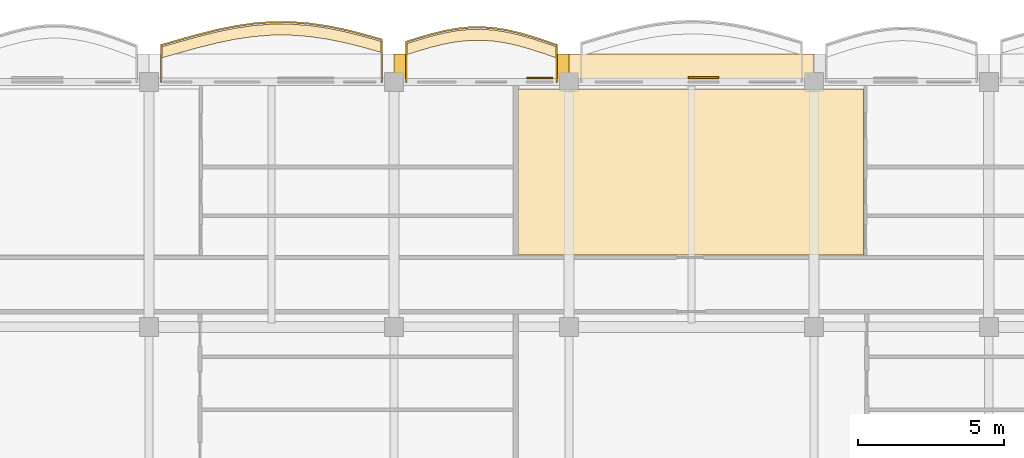
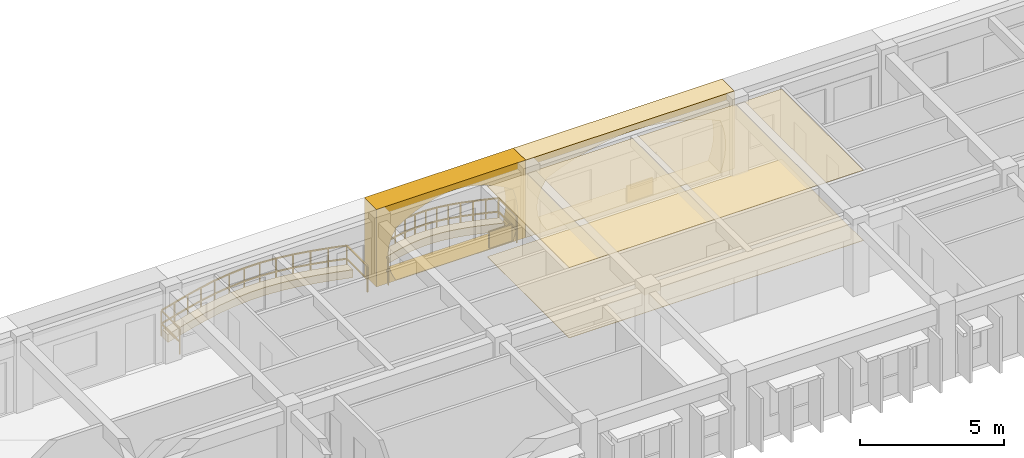
# One storey, part 88 of 101: 8 coverings, 2 railings.
"""IFC4 building model written with IfcOpenShell, lengths in metres."""

import ifcopenshell
import ifcopenshell.guid

model = None  # the IFC model being written
_history = None  # IfcOwnerHistory: only IFC2X3 demands one
_inside = {}  # id of a spatial element -> (the spatial element, [elements in it])
_under = {}  # id of a project, library or spatial element -> (it, [spatial elements below it])
_declared = {}  # id of a project -> (the project, [libraries it declares])
_typed = {}  # id of a type object -> (the type object, [elements of that type])
_made_of = {}  # id of a material, layer set ... -> (it, [elements and type objects made of it])


def new_model(schema):
    """Start an empty IFC model of exactly this schema.

    Asked for "IFC4X3", IfcOpenShell would pick the latest addendum, in which some entities
    have other attributes; the version numbers below select the first issue.
    IFC2X3 requires an IfcOwnerHistory on every rooted entity: one is made here for all.
    """
    global model, _history
    if schema == "IFC4X3":
        model = ifcopenshell.file(schema_version=(4, 3, 0, 0))
    else:
        model = ifcopenshell.file(schema=schema)
    _inside.clear()
    _under.clear()
    _declared.clear()
    _typed.clear()
    _made_of.clear()
    _history = None
    if model.schema == "IFC2X3":
        org = make("IfcOrganization", Name="unknown")
        user = make(
            "IfcPersonAndOrganization",
            ThePerson=make("IfcPerson", FamilyName="unknown"),
            TheOrganization=org,
        )
        app = make(
            "IfcApplication",
            ApplicationDeveloper=org,
            Version="unknown",
            ApplicationFullName="unknown",
            ApplicationIdentifier="unknown",
        )
        _history = make(
            "IfcOwnerHistory",
            OwningUser=user,
            OwningApplication=app,
            ChangeAction="ADDED",
            CreationDate=0,
        )
    return model


def make(cls, **values):
    """One entity of the class cls with the attributes given. An attribute that is None is left unset."""
    return model.create_entity(
        cls, **{name: value for name, value in values.items() if value is not None}
    )


def rooted(cls, **values):
    """An entity with a GlobalId (a new one), such as an element, a storey or a relation."""
    return make(cls, GlobalId=ifcopenshell.guid.new(), OwnerHistory=_history, **values)


def si_unit(unit_type, name, prefix=None):
    """IfcSIUnit, for example si_unit("LENGTHUNIT", "METRE", prefix="MILLI")."""
    return make("IfcSIUnit", UnitType=unit_type, Prefix=prefix, Name=name)


def assignment(units):
    """IfcUnitAssignment: the units of a project."""
    return None if units is None else make("IfcUnitAssignment", Units=units)


def point(xyz):
    """IfcCartesianPoint."""
    return None if xyz is None else make("IfcCartesianPoint", Coordinates=xyz)


def direction(xyz):
    """IfcDirection."""
    return None if xyz is None else make("IfcDirection", DirectionRatios=xyz)


def frame(location, z_axis=None, x_axis=None):
    """IfcAxis2Placement3D, a coordinate frame: its origin and axes. An axis left out is left unset."""
    return make(
        "IfcAxis2Placement3D",
        Location=point(location),
        Axis=direction(z_axis),
        RefDirection=direction(x_axis),
    )


def frame_2d(location, x_axis=None):
    """IfcAxis2Placement2D, a coordinate frame in the plane: its origin and x axis."""
    return make(
        "IfcAxis2Placement2D", Location=point(location), RefDirection=direction(x_axis)
    )


def origin():
    """The frame at (0, 0, 0) with its axes left unset."""
    return frame((0.0, 0.0, 0.0))


def origin_2d():
    """The frame at (0, 0) in the plane with its x axis left unset."""
    return frame_2d((0.0, 0.0))


def place(relative_to, where):
    """IfcLocalPlacement: puts the frame where relative to a parent placement (None: the world)."""
    return make(
        "IfcLocalPlacement", PlacementRelTo=relative_to, RelativePlacement=where
    )


def context(
    kind, dimensions, precision=None, world=None, true_north=None, identifier=None
):
    """IfcGeometricRepresentationContext, for example the 3D "Model" context."""
    return make(
        "IfcGeometricRepresentationContext",
        ContextIdentifier=identifier,
        ContextType=kind,
        CoordinateSpaceDimension=dimensions,
        Precision=precision,
        WorldCoordinateSystem=world,
        TrueNorth=true_north,
    )


def subcontext(parent, identifier, kind, view, scale=None):
    """IfcGeometricRepresentationSubContext, for example "Body" below "Model"."""
    return make(
        "IfcGeometricRepresentationSubContext",
        ContextIdentifier=identifier,
        ContextType=kind,
        ParentContext=parent,
        TargetScale=scale,
        TargetView=view,
    )


def project(units=None, contexts=None):
    """IfcProject with its units and contexts."""
    return rooted(
        "IfcProject",
        Name="project",
        RepresentationContexts=contexts,
        UnitsInContext=assignment(units),
    )


def spatial(cls, under=None, at=None, **own):
    """A site, building, storey or space (cls), placed at a placement, below another one or the project."""
    s = rooted(cls, ObjectPlacement=at, **own)
    if under is not None:
        _under.setdefault(under.id(), (under, []))[1].append(s)
    return s


def polyline(points):
    """IfcPolyline through the points."""
    return make("IfcPolyline", Points=[point(p) for p in points])


def profile(cls, at=None, kind="AREA", **sizes):
    """A parametric profile (cls). Its sizes go by their IFC names, for example OverallWidth=200.0."""
    return make(cls, ProfileType=kind, Position=at, **sizes)


def rectangle(**sizes):
    """IfcRectangleProfileDef."""
    return profile("IfcRectangleProfileDef", **sizes)


def outline(outer, holes=None, kind="AREA"):
    """IfcArbitraryClosedProfileDef: a profile drawn as a closed curve; with holes, ...WithVoids."""
    if holes is None:
        return make("IfcArbitraryClosedProfileDef", ProfileType=kind, OuterCurve=outer)
    return make(
        "IfcArbitraryProfileDefWithVoids",
        ProfileType=kind,
        OuterCurve=outer,
        InnerCurves=holes,
    )


def extrude(swept, where, along, depth):
    """IfcExtrudedAreaSolid: the profile swept, set in the frame where, extruded along a direction by depth."""
    return make(
        "IfcExtrudedAreaSolid",
        SweptArea=swept,
        Position=where,
        ExtrudedDirection=direction(along),
        Depth=depth,
    )


def shape(context_of_items, identifier, shape_type, items):
    """IfcShapeRepresentation: the items that make up one representation, for example the "Body"."""
    return make(
        "IfcShapeRepresentation",
        ContextOfItems=context_of_items,
        RepresentationIdentifier=identifier,
        RepresentationType=shape_type,
        Items=items,
    )


def material(Name=None, Category=None):
    """IfcMaterial."""
    return make("IfcMaterial", Name=Name, Category=Category)


def layer(
    of_material, thickness, ventilated=None, Name=None, Category=None, Priority=None
):
    """IfcMaterialLayer: one layer of a wall or slab, of a material (None: an air gap)."""
    return make(
        "IfcMaterialLayer",
        Material=of_material,
        LayerThickness=thickness,
        IsVentilated=ventilated,
        Name=Name,
        Category=Category,
        Priority=Priority,
    )


def layer_set(layers, Name=None):
    """IfcMaterialLayerSet."""
    return make("IfcMaterialLayerSet", MaterialLayers=layers, LayerSetName=Name)


def made_of(thing, what):
    """Note that an element or type object is made of a material, layer set ...; save() writes the relation."""
    if what is not None:
        _made_of.setdefault(what.id(), (what, []))[1].append(thing)
    return thing


def type_object(cls, material=None, **own):
    """A type object (cls), such as IfcWallType, which elements share."""
    return made_of(rooted(cls, **own), material)


def element(
    cls,
    number,
    at=None,
    inside=None,
    cuts=None,
    type_object=None,
    material=None,
    context=None,
    identifier="Body",
    shape_type=None,
    held_by="IfcProductDefinitionShape",
    body=None,
    shapes=None,
    **own,
):
    """One element of the class cls, such as IfcWall. Its Tag is "e" and its number.

    at: its placement. inside: the storey or other place that contains it. cuts: it is an
    opening in that element (IfcRelVoidsElement). A single representation is given by context,
    identifier, shape_type and body (its items); several are given by shapes. held_by: the class
    of the entity that holds the representations. save() writes the other relations.
    """
    e = rooted(cls, Tag="e%d" % number, ObjectPlacement=at, **own)
    if body is not None:
        shapes = [shape(context, identifier, shape_type, body)]
    if shapes is not None:
        e.Representation = make(held_by, Representations=shapes)
    if inside is not None:
        _inside.setdefault(inside.id(), (inside, []))[1].append(e)
    if cuts is not None:
        rooted(
            "IfcRelVoidsElement", RelatingBuildingElement=cuts, RelatedOpeningElement=e
        )
    if type_object is not None:
        _typed.setdefault(type_object.id(), (type_object, []))[1].append(e)
    return made_of(e, material)


def aggregate(whole, parts):
    """IfcRelAggregates: a whole, such as a stair, and the parts it consists of."""
    return rooted("IfcRelAggregates", RelatingObject=whole, RelatedObjects=parts)


def save(model, path):
    """Write the relations noted so far, then the file.

    IfcRelAggregates (storeys below a building ...), IfcRelContainedInSpatialStructure (elements
    in a storey), IfcRelDefinesByType, IfcRelAssociatesMaterial and IfcRelDeclares: one each for
    every whole, place, type object, material and project.
    """
    for whole, parts in _under.values():
        aggregate(whole, parts)
    for where, things in _inside.values():
        rooted(
            "IfcRelContainedInSpatialStructure",
            RelatedElements=things,
            RelatingStructure=where,
        )
    for kind, things in _typed.values():
        rooted("IfcRelDefinesByType", RelatedObjects=things, RelatingType=kind)
    for what, things in _made_of.values():
        rooted("IfcRelAssociatesMaterial", RelatedObjects=things, RelatingMaterial=what)
    for by, libraries in _declared.values():
        rooted("IfcRelDeclares", RelatingContext=by, RelatedDefinitions=libraries)
    model.write(path)


model = new_model("IFC4")

# Units and contexts
model_context = context("Model", 3, precision=1e-05, world=origin(), true_north=direction((0.0, 1.0)))
body_context = subcontext(model_context, "Body", "Model", "MODEL_VIEW")
ifc_project = project(units=[si_unit("LENGTHUNIT", "METRE"), si_unit("AREAUNIT", "SQUARE_METRE"), si_unit("VOLUMEUNIT", "CUBIC_METRE"), si_unit("PLANEANGLEUNIT", "RADIAN"), si_unit("MASSUNIT", "GRAM", prefix="KILO"), si_unit("THERMODYNAMICTEMPERATUREUNIT", "KELVIN")], contexts=[model_context])

# Site, building, storey
site_placement = place(None, origin())
site = spatial("IfcSite", under=ifc_project, at=site_placement, CompositionType="ELEMENT")
building_placement = place(site_placement, origin())
building = spatial("IfcBuilding", under=site, at=building_placement, Name="Thalorik Housing Commons", CompositionType="ELEMENT")
storey_placement = place(building_placement, frame((0.0, 0.0, 8.10009765625)))
storey = spatial("IfcBuildingStorey", under=building, at=storey_placement, Name="L02", CompositionType="ELEMENT", Elevation=8.10009765625)

# Coverings
ifc_material_1 = material(Name="Precast concrete C40/50", Category="concrete")
ifc_layer_1 = layer(ifc_material_1, 0.85009765625, Name="Precast concrete C40/50", Category="concrete")
ifc_layer_set_1 = layer_set([ifc_layer_1], Name="Precast concrete C40/50")
covering_type_1 = type_object("IfcCoveringType", Name="ARC-CLD-CUSH-850", PredefinedType="CLADDING", material=ifc_layer_set_1)
covering_1_placement = place(storey_placement, frame((133.800048828125, 124.12744140625, 0.0), z_axis=(0.0, 0.0, 1.0), x_axis=(-1.0, 0.0, 0.0)))
element("IfcCovering", 1, at=covering_1_placement, inside=storey, type_object=covering_type_1, Name="L02 White Precast Curved Cushion Bay Frame 1664", PredefinedType="CLADDING", context=body_context, shape_type="SweptSolid", body=[
    extrude(outline(polyline([(-4.199951171875, 0.0), (4.199951171875, 0.0), (4.199951171875, 3.300048828125), (-4.199951171875, 3.300048828125), (-4.199951171875, 0.0)]), holes=[polyline([(3.35009765625, 0.02490234375), (3.572265625, 0.394287109375), (3.70556640625, 0.76318359375), (3.75, 1.132568359375), (3.70556640625, 1.501708984375), (3.572265625, 1.870849609375), (3.35009765625, 2.239990234375), (2.768310546875, 2.4833984375), (2.186767578125, 2.6748046875), (1.60498046875, 2.82958984375), (1.023193359375, 2.94482421875), (0.441650390625, 3.01611328125), (-0.139892578125, 3.0400390625), (-0.7216796875, 3.01611328125), (-1.30322265625, 2.94482421875), (-1.885009765625, 2.82958984375), (-2.466796875, 2.6748046875), (-3.04833984375, 2.4833984375), (-3.6298828125, 2.239990234375), (-3.750244140625, 1.870849609375), (-3.822509765625, 1.501708984375), (-3.8466796875, 1.132568359375), (-3.822509765625, 0.76318359375), (-3.750244140625, 0.394287109375), (-3.6298828125, 0.02490234375), (3.35009765625, 0.02490234375)])]), frame((0.0, 0.425048828125, 0.0), z_axis=(0.0, -1.0, 0.0), x_axis=(1.0, 0.0, 0.0)), (0.0, 0.0, 1.0), 0.85009765625),
])
covering_2_placement = place(storey_placement, frame((126.60009765625, 124.12744140625, 0.0), z_axis=(0.0, 0.0, 1.0), x_axis=(-1.0, 0.0, 0.0)))
element("IfcCovering", 2, at=covering_2_placement, inside=storey, type_object=covering_type_1, Name="L02 White Precast Curved Cushion Bay Frame 1666", PredefinedType="CLADDING", context=body_context, shape_type="SweptSolid", body=[
    extrude(outline(polyline([(-3.0, 0.0), (3.0, 0.0), (3.0, 3.300048828125), (-3.0, 3.300048828125), (-3.0, 0.0)]), holes=[polyline([(2.22998046875, 0.02490234375), (2.40771484375, 0.390869140625), (2.514404296875, 0.756591796875), (2.550048828125, 1.12255859375), (2.514404296875, 1.48828125), (2.40771484375, 1.854248046875), (2.22998046875, 2.219970703125), (1.836181640625, 2.469482421875), (1.4423828125, 2.66552734375), (1.048583984375, 2.824462890625), (0.655029296875, 2.9423828125), (0.26123046875, 3.015380859375), (-0.132568359375, 3.0400390625), (-0.5263671875, 3.015380859375), (-0.919921875, 2.9423828125), (-1.313720703125, 2.824462890625), (-1.70751953125, 2.66552734375), (-2.101318359375, 2.469482421875), (-2.4951171875, 2.219970703125), (-2.6015625, 1.854248046875), (-2.66552734375, 1.48828125), (-2.68701171875, 1.12255859375), (-2.66552734375, 0.756591796875), (-2.6015625, 0.390869140625), (-2.4951171875, 0.02490234375), (2.22998046875, 0.02490234375)])]), frame((0.0, 0.425048828125, 0.0), z_axis=(0.0, -1.0, 0.0), x_axis=(1.0, 0.0, 0.0)), (0.0, 0.0, 1.0), 0.85009765625),
])
ifc_material_2 = material(Name="Terracotta red mineral fibre-cement panel", Category="masonry")
ifc_layer_2 = layer(ifc_material_2, 0.054931640625, Name="Terracotta red mineral fibre-cement panel", Category="masonry")
ifc_layer_set_2 = layer_set([ifc_layer_2], Name="Terracotta red mineral fibre-cement panel")
covering_type_2 = type_object("IfcCoveringType", Name="ARC-CLD-RED-55", PredefinedType="CLADDING", material=ifc_layer_set_2)
covering_3_placement = place(storey_placement, frame((128.594970703125, 123.735107421875, 0.0498046875), z_axis=(0.0, 0.0, 1.0), x_axis=(-1.0, 0.0, 0.0)))
element("IfcCovering", 3, at=covering_3_placement, inside=storey, type_object=covering_type_2, Name="L02 De Stijl Recessed Window Spandrel 1667", PredefinedType="CLADDING", context=body_context, shape_type="SweptSolid", body=[
    extrude(rectangle(XDim=0.89990234375, YDim=0.054931640625, at=origin_2d()), origin(), (0.0, 0.0, 1.0), 0.699951171875),
])
ifc_material_3 = material(Name="Mineral ochre architectural terracotta panel", Category="masonry")
ifc_layer_3 = layer(ifc_material_3, 0.06494140625, Name="Mineral ochre architectural terracotta panel", Category="masonry")
ifc_layer_set_3 = layer_set([ifc_layer_3], Name="Mineral ochre architectural terracotta panel")
covering_type_3 = type_object("IfcCoveringType", Name="ARC-CLD-YEL-65", PredefinedType="CLADDING", material=ifc_layer_set_3)
covering_4_placement = place(storey_placement, frame((134.2099609375, 123.739990234375, 0.0498046875), z_axis=(0.0, 0.0, 1.0), x_axis=(-1.0, 0.0, 0.0)))
element("IfcCovering", 4, at=covering_4_placement, inside=storey, type_object=covering_type_3, Name="L02 De Stijl Recessed Window Spandrel 1665", PredefinedType="CLADDING", context=body_context, shape_type="SweptSolid", body=[
    extrude(rectangle(XDim=1.050048828125, YDim=0.06494140625, at=origin_2d()), origin(), (0.0, 0.0, 1.0), 0.699951171875),
])
ifc_material_4 = material(Name="Mineral fibre acoustic ceiling tile")
ifc_layer_4 = layer(ifc_material_4, 0.01806640625, Name="Mineral fibre acoustic ceiling tile")
ifc_layer_set_4 = layer_set([ifc_layer_4], Name="Mineral fibre acoustic ceiling tile")
covering_type_4 = type_object("IfcCoveringType", Name="ARC-COV-CEIL-02", PredefinedType="CEILING", material=ifc_layer_set_4)
covering_5_placement = place(storey_placement, frame((0.0, 0.0, 2.98193359375)))
element("IfcCovering", 5, at=covering_5_placement, inside=storey, type_object=covering_type_4, Name="L02 Living Dining Room Suspended Ceiling", PredefinedType="CEILING", context=body_context, shape_type="SweptSolid", body=[
    extrude(outline(polyline([(139.69970703125, 117.659912109375), (139.69970703125, 123.360107421875), (127.860107421875, 123.360107421875), (127.860107421875, 117.659912109375), (139.69970703125, 117.659912109375)])), origin(), (0.0, 0.0, 1.0), 0.01806640625),
])
ifc_material_5 = material(Name="Slip-resistant quarry terracotta corridor tile", Category="masonry")
ifc_layer_5 = layer(ifc_material_5, 0.01611328125, Name="Slip-resistant quarry terracotta corridor tile", Category="masonry")
ifc_layer_set_5 = layer_set([ifc_layer_5], Name="Slip-resistant quarry terracotta corridor tile")
covering_type_5 = type_object("IfcCoveringType", Name="ARC-COV-FLR-02", PredefinedType="FLOORING", material=ifc_layer_set_5)
covering_6_placement = place(storey_placement, origin())
element("IfcCovering", 6, at=covering_6_placement, inside=storey, type_object=covering_type_5, Name="L02 Living Dining Room Flooring", PredefinedType="FLOORING", context=body_context, shape_type="SweptSolid", body=[
    extrude(outline(polyline([(139.69970703125, 117.659912109375), (139.69970703125, 123.360107421875), (127.860107421875, 123.360107421875), (127.860107421875, 117.659912109375), (139.69970703125, 117.659912109375)])), origin(), (0.0, 0.0, 1.0), 0.015869140625),
])
ifc_material_6 = material(Name="Planted vegetated substrate and terracotta trough", Category="masonry")
ifc_layer_6 = layer(ifc_material_6, 0.340087890625, Name="Planted vegetated substrate and terracotta trough", Category="masonry")
ifc_layer_set_6 = layer_set([ifc_layer_6], Name="Planted vegetated substrate and terracotta trough")
covering_type_6 = type_object("IfcCoveringType", Name="ARC-COV-PLANTER", PredefinedType="USERDEFINED", material=ifc_layer_set_6)
covering_7_placement = place(storey_placement, origin())
element("IfcCovering", 7, at=covering_7_placement, inside=storey, type_object=covering_type_6, Name="L02 Balcony Slab-Edge Planted Trough 5422", ObjectType="PLANTER", PredefinedType="USERDEFINED", context=body_context, shape_type="SweptSolid", body=[
    extrude(outline(polyline([(123.179931640625, 124.9873046875), (122.550048828125, 125.1640625), (121.919921875, 125.322021484375), (121.2900390625, 125.4501953125), (120.659912109375, 125.5400390625), (120.030029296875, 125.58544921875), (119.39990234375, 125.58349609375), (118.77001953125, 125.5341796875), (118.139892578125, 125.44140625), (117.510009765625, 125.3115234375), (116.8798828125, 125.15380859375), (116.25, 124.97900390625), (115.6201171875, 124.79931640625), (115.6201171875, 124.419189453125), (116.25, 124.598876953125), (116.8798828125, 124.773681640625), (117.510009765625, 124.931640625), (118.139892578125, 125.061279296875), (118.77001953125, 125.154296875), (119.39990234375, 125.203369140625), (120.030029296875, 125.20556640625), (120.659912109375, 125.16015625), (121.2900390625, 125.0703125), (121.919921875, 124.94189453125), (122.550048828125, 124.7841796875), (123.179931640625, 124.607421875), (123.179931640625, 124.9873046875)])), origin(), (0.0, 0.0, 1.0), 0.33984375),
])
covering_8_placement = place(storey_placement, origin())
element("IfcCovering", 8, at=covering_8_placement, inside=storey, type_object=covering_type_6, Name="L02 Balcony Slab-Edge Planted Trough 5423", ObjectType="PLANTER", PredefinedType="USERDEFINED", context=body_context, shape_type="SweptSolid", body=[
    extrude(outline(polyline([(129.179931640625, 124.80078125), (128.75, 124.948486328125), (128.320068359375, 125.089111328125), (127.889892578125, 125.212890625), (127.4599609375, 125.311279296875), (127.030029296875, 125.377685546875), (126.60009765625, 125.407958984375), (126.169921875, 125.39990234375), (125.739990234375, 125.35498046875), (125.31005859375, 125.2763671875), (124.8798828125, 125.170166015625), (124.449951171875, 125.04443359375), (124.02001953125, 124.908203125), (124.02001953125, 124.5283203125), (124.449951171875, 124.664306640625), (124.8798828125, 124.790283203125), (125.31005859375, 124.896240234375), (125.739990234375, 124.974853515625), (126.169921875, 125.02001953125), (126.60009765625, 125.02783203125), (127.030029296875, 124.997802734375), (127.4599609375, 124.931396484375), (127.889892578125, 124.832763671875), (128.320068359375, 124.708984375), (128.75, 124.568603515625), (129.179931640625, 124.4208984375), (129.179931640625, 124.80078125)])), origin(), (0.0, 0.0, 1.0), 0.33984375),
])

# Railings
ifc_material_7 = material(Name="Steel S355", Category="steel")
railing_type_1 = type_object("IfcRailingType", Name="ARC-RL-BAL-112", PredefinedType="BALUSTRADE", material=ifc_material_7)
railing_1_placement = place(storey_placement, frame((123.179931640625, 123.60009765625, 0.0)))
element("IfcRailing", 9, at=railing_1_placement, inside=storey, type_object=railing_type_1, Name="L02 Cushion Balcony Guardrail 106", PredefinedType="BALUSTRADE", context=body_context, shape_type="SweptSolid", body=[
    extrude(rectangle(XDim=0.050048828125, YDim=0.050048828125, at=origin_2d()), frame((0.0, 0.0, 1.09521484375), z_axis=(0.0, 1.0, 0.0), x_axis=(-1.0, 0.0, 0.0)), (0.0, 0.0, 1.0), 1.457275390625),
    extrude(rectangle(XDim=0.050048828125, YDim=0.050048828125, at=origin_2d()), frame((0.0, 0.0, 0.53515625), z_axis=(0.0, 1.0, 0.0), x_axis=(-1.0, 0.0, 0.0)), (0.0, 0.0, 1.0), 1.457275390625),
    extrude(rectangle(XDim=0.050048828125, YDim=0.050048828125, at=origin_2d()), frame((0.0, 1.457275390625, 1.09521484375), z_axis=(-0.962808829557, 0.270183563023, 0.0), x_axis=(-0.270183563023, -0.962808829557, 0.0)), (0.0, 0.0, 1.0), 0.654296875),
    extrude(rectangle(XDim=0.050048828125, YDim=0.050048828125, at=origin_2d()), frame((0.0, 1.457275390625, 0.53515625), z_axis=(-0.962808829557, 0.270183563023, 0.0), x_axis=(-0.270183563023, -0.962808829557, 0.0)), (0.0, 0.0, 1.0), 0.654296875),
    extrude(rectangle(XDim=0.050048828125, YDim=0.050048828125, at=origin_2d()), frame((-0.6298828125, 1.634033203125, 1.09521484375), z_axis=(-0.969987553877, 0.243154570848, 0.0), x_axis=(-0.243154570848, -0.969987553877, 0.0)), (0.0, 0.0, 1.0), 0.649658203125),
    extrude(rectangle(XDim=0.050048828125, YDim=0.050048828125, at=origin_2d()), frame((-0.6298828125, 1.634033203125, 0.53515625), z_axis=(-0.969987553877, 0.243154570848, 0.0), x_axis=(-0.243154570848, -0.969987553877, 0.0)), (0.0, 0.0, 1.0), 0.649658203125),
    extrude(rectangle(XDim=0.050048828125, YDim=0.050048828125, at=origin_2d()), frame((-1.260009765625, 1.7919921875, 1.09521484375), z_axis=(-0.979917798202, 0.199401877541, 0.0), x_axis=(-0.199401877541, -0.979917798202, 0.0)), (0.0, 0.0, 1.0), 0.642822265625),
    extrude(rectangle(XDim=0.050048828125, YDim=0.050048828125, at=origin_2d()), frame((-1.260009765625, 1.7919921875, 0.53515625), z_axis=(-0.979917798202, 0.199401877541, 0.0), x_axis=(-0.199401877541, -0.979917798202, 0.0)), (0.0, 0.0, 1.0), 0.642822265625),
    extrude(rectangle(XDim=0.050048828125, YDim=0.050048828125, at=origin_2d()), frame((-1.889892578125, 1.920166015625, 1.09521484375), z_axis=(-0.989987814004, 0.14115285376, 0.0), x_axis=(-0.14115285376, -0.989987814004, 0.0)), (0.0, 0.0, 1.0), 0.636474609375),
    extrude(rectangle(XDim=0.050048828125, YDim=0.050048828125, at=origin_2d()), frame((-1.889892578125, 1.920166015625, 0.53515625), z_axis=(-0.989987814004, 0.14115285376, 0.0), x_axis=(-0.14115285376, -0.989987814004, 0.0)), (0.0, 0.0, 1.0), 0.636474609375),
    extrude(rectangle(XDim=0.050048828125, YDim=0.050048828125, at=origin_2d()), frame((-2.52001953125, 2.010009765625, 1.09521484375), z_axis=(-0.997411384201, 0.071906402117, 0.0), x_axis=(-0.071906402117, -0.997411384201, 0.0)), (0.0, 0.0, 1.0), 0.631591796875),
    extrude(rectangle(XDim=0.050048828125, YDim=0.050048828125, at=origin_2d()), frame((-2.52001953125, 2.010009765625, 0.53515625), z_axis=(-0.997411384201, 0.071906402117, 0.0), x_axis=(-0.071906402117, -0.997411384201, 0.0)), (0.0, 0.0, 1.0), 0.631591796875),
    extrude(rectangle(XDim=0.050048828125, YDim=0.050048828125, at=origin_2d()), frame((-3.14990234375, 2.055419921875, 1.09521484375), z_axis=(-0.999993920399, -0.003486999335, 0.0), x_axis=(0.003486999335, -0.999993920399, 0.0)), (0.0, 0.0, 1.0), 0.630126953125),
    extrude(rectangle(XDim=0.050048828125, YDim=0.050048828125, at=origin_2d()), frame((-3.14990234375, 2.055419921875, 0.53515625), z_axis=(-0.999993920399, -0.003486999335, 0.0), x_axis=(0.003486999335, -0.999993920399, 0.0)), (0.0, 0.0, 1.0), 0.630126953125),
    extrude(rectangle(XDim=0.050048828125, YDim=0.050048828125, at=origin_2d()), frame((-3.780029296875, 2.05322265625, 1.09521484375), z_axis=(-0.996978996531, -0.077671619497, 0.0), x_axis=(0.077671619497, -0.996978996531, 0.0)), (0.0, 0.0, 1.0), 0.6318359375),
    extrude(rectangle(XDim=0.050048828125, YDim=0.050048828125, at=origin_2d()), frame((-3.780029296875, 2.05322265625, 0.53515625), z_axis=(-0.996978996531, -0.077671619497, 0.0), x_axis=(0.077671619497, -0.996978996531, 0.0)), (0.0, 0.0, 1.0), 0.6318359375),
    extrude(rectangle(XDim=0.050048828125, YDim=0.050048828125, at=origin_2d()), frame((-4.409912109375, 2.004150390625, 1.09521484375), z_axis=(-0.989334778936, -0.145659518015, 0.0), x_axis=(0.145659518015, -0.989334778936, 0.0)), (0.0, 0.0, 1.0), 0.636962890625),
    extrude(rectangle(XDim=0.050048828125, YDim=0.050048828125, at=origin_2d()), frame((-4.409912109375, 2.004150390625, 0.53515625), z_axis=(-0.989334778936, -0.145659518015, 0.0), x_axis=(0.145659518015, -0.989334778936, 0.0)), (0.0, 0.0, 1.0), 0.636962890625),
    extrude(rectangle(XDim=0.050048828125, YDim=0.050048828125, at=origin_2d()), frame((-5.0400390625, 1.911376953125, 1.09521484375), z_axis=(-0.979395251557, -0.201952819313, 0.0), x_axis=(0.201952819313, -0.979395251557, 0.0)), (0.0, 0.0, 1.0), 0.64306640625),
    extrude(rectangle(XDim=0.050048828125, YDim=0.050048828125, at=origin_2d()), frame((-5.0400390625, 1.911376953125, 0.53515625), z_axis=(-0.979395251557, -0.201952819313, 0.0), x_axis=(0.201952819313, -0.979395251557, 0.0)), (0.0, 0.0, 1.0), 0.64306640625),
    extrude(rectangle(XDim=0.050048828125, YDim=0.050048828125, at=origin_2d()), frame((-5.669921875, 1.781494140625, 1.09521484375), z_axis=(-0.970076136899, -0.242800923842, 0.0), x_axis=(0.242800923842, -0.970076136899, 0.0)), (0.0, 0.0, 1.0), 0.649658203125),
    extrude(rectangle(XDim=0.050048828125, YDim=0.050048828125, at=origin_2d()), frame((-5.669921875, 1.781494140625, 0.53515625), z_axis=(-0.970076136899, -0.242800923842, 0.0), x_axis=(0.242800923842, -0.970076136899, 0.0)), (0.0, 0.0, 1.0), 0.649658203125),
    extrude(rectangle(XDim=0.050048828125, YDim=0.050048828125, at=origin_2d()), frame((-6.300048828125, 1.623779296875, 1.09521484375), z_axis=(-0.963485801487, -0.267759426227, 0.0), x_axis=(0.267759426227, -0.963485801487, 0.0)), (0.0, 0.0, 1.0), 0.65380859375),
    extrude(rectangle(XDim=0.050048828125, YDim=0.050048828125, at=origin_2d()), frame((-6.300048828125, 1.623779296875, 0.53515625), z_axis=(-0.963485801487, -0.267759426227, 0.0), x_axis=(0.267759426227, -0.963485801487, 0.0)), (0.0, 0.0, 1.0), 0.65380859375),
    extrude(rectangle(XDim=0.050048828125, YDim=0.050048828125, at=origin_2d()), frame((-6.929931640625, 1.44873046875, 1.09521484375), z_axis=(-0.961636388432, -0.274327279801, 0.0), x_axis=(0.274327279801, -0.961636388432, 0.0)), (0.0, 0.0, 1.0), 0.655029296875),
    extrude(rectangle(XDim=0.050048828125, YDim=0.050048828125, at=origin_2d()), frame((-6.929931640625, 1.44873046875, 0.53515625), z_axis=(-0.961636388432, -0.274327279801, 0.0), x_axis=(0.274327279801, -0.961636388432, 0.0)), (0.0, 0.0, 1.0), 0.655029296875),
    extrude(rectangle(XDim=0.050048828125, YDim=0.050048828125, at=origin_2d()), frame((-7.559814453125, 1.26904296875, 1.09521484375), z_axis=(0.0, -1.0, 0.0), x_axis=(1.0, 0.0, 0.0)), (0.0, 0.0, 1.0), 1.26904296875),
    extrude(rectangle(XDim=0.050048828125, YDim=0.050048828125, at=origin_2d()), frame((-7.559814453125, 1.26904296875, 0.53515625), z_axis=(0.0, -1.0, 0.0), x_axis=(1.0, 0.0, 0.0)), (0.0, 0.0, 1.0), 1.26904296875),
    extrude(rectangle(XDim=0.0419921875, YDim=0.0419921875, at=origin_2d()), origin(), (0.0, 0.0, 1.0), 1.070068359375),
    extrude(rectangle(XDim=0.0419921875, YDim=0.0419921875, at=origin_2d()), frame((0.0, 1.457275390625, 0.0)), (0.0, 0.0, 1.0), 1.070068359375),
    extrude(rectangle(XDim=0.0419921875, YDim=0.0419921875, at=origin_2d()), frame((-0.6298828125, 1.634033203125, 0.0)), (0.0, 0.0, 1.0), 1.070068359375),
    extrude(rectangle(XDim=0.0419921875, YDim=0.0419921875, at=origin_2d()), frame((-1.260009765625, 1.7919921875, 0.0)), (0.0, 0.0, 1.0), 1.070068359375),
    extrude(rectangle(XDim=0.0419921875, YDim=0.0419921875, at=origin_2d()), frame((-1.889892578125, 1.920166015625, 0.0)), (0.0, 0.0, 1.0), 1.070068359375),
    extrude(rectangle(XDim=0.0419921875, YDim=0.0419921875, at=origin_2d()), frame((-2.52001953125, 2.010009765625, 0.0)), (0.0, 0.0, 1.0), 1.070068359375),
    extrude(rectangle(XDim=0.0419921875, YDim=0.0419921875, at=origin_2d()), frame((-3.14990234375, 2.055419921875, 0.0)), (0.0, 0.0, 1.0), 1.070068359375),
    extrude(rectangle(XDim=0.0419921875, YDim=0.0419921875, at=origin_2d()), frame((-3.780029296875, 2.05322265625, 0.0)), (0.0, 0.0, 1.0), 1.070068359375),
    extrude(rectangle(XDim=0.0419921875, YDim=0.0419921875, at=origin_2d()), frame((-4.409912109375, 2.004150390625, 0.0)), (0.0, 0.0, 1.0), 1.070068359375),
    extrude(rectangle(XDim=0.0419921875, YDim=0.0419921875, at=origin_2d()), frame((-5.0400390625, 1.911376953125, 0.0)), (0.0, 0.0, 1.0), 1.070068359375),
    extrude(rectangle(XDim=0.0419921875, YDim=0.0419921875, at=origin_2d()), frame((-5.669921875, 1.781494140625, 0.0)), (0.0, 0.0, 1.0), 1.070068359375),
    extrude(rectangle(XDim=0.0419921875, YDim=0.0419921875, at=origin_2d()), frame((-6.300048828125, 1.623779296875, 0.0)), (0.0, 0.0, 1.0), 1.070068359375),
    extrude(rectangle(XDim=0.0419921875, YDim=0.0419921875, at=origin_2d()), frame((-6.929931640625, 1.44873046875, 0.0)), (0.0, 0.0, 1.0), 1.070068359375),
    extrude(rectangle(XDim=0.0419921875, YDim=0.0419921875, at=origin_2d()), frame((-7.559814453125, 1.26904296875, 0.0)), (0.0, 0.0, 1.0), 1.070068359375),
    extrude(rectangle(XDim=0.0419921875, YDim=0.0419921875, at=origin_2d()), frame((-7.559814453125, 0.0, 0.0)), (0.0, 0.0, 1.0), 1.070068359375),
])
railing_type_2 = type_object("IfcRailingType", Name="ARC-RL-BAL-115", PredefinedType="BALUSTRADE", material=ifc_material_7)
railing_2_placement = place(storey_placement, frame((129.179931640625, 123.60009765625, 0.0)))
element("IfcRailing", 10, at=railing_2_placement, inside=storey, type_object=railing_type_2, Name="L02 Cushion Balcony Guardrail 107", PredefinedType="BALUSTRADE", context=body_context, shape_type="SweptSolid", body=[
    extrude(rectangle(XDim=0.050048828125, YDim=0.050048828125, at=origin_2d()), frame((0.0, 0.0, 1.125), z_axis=(0.0, 1.0, 0.0), x_axis=(-1.0, 0.0, 0.0)), (0.0, 0.0, 1.0), 1.270751953125),
    extrude(rectangle(XDim=0.050048828125, YDim=0.050048828125, at=origin_2d()), frame((0.0, 0.0, 0.5498046875), z_axis=(0.0, 1.0, 0.0), x_axis=(-1.0, 0.0, 0.0)), (0.0, 0.0, 1.0), 1.270751953125),
    extrude(rectangle(XDim=0.050048828125, YDim=0.050048828125, at=origin_2d()), frame((0.0, 1.270751953125, 1.125), z_axis=(-0.945743338546, 0.324914662022, 0.0), x_axis=(-0.324914662022, -0.945743338546, 0.0)), (0.0, 0.0, 1.0), 0.45458984375),
    extrude(rectangle(XDim=0.050048828125, YDim=0.050048828125, at=origin_2d()), frame((0.0, 1.270751953125, 0.5498046875), z_axis=(-0.945743338546, 0.324914662022, 0.0), x_axis=(-0.324914662022, -0.945743338546, 0.0)), (0.0, 0.0, 1.0), 0.45458984375),
    extrude(rectangle(XDim=0.050048828125, YDim=0.050048828125, at=origin_2d()), frame((-0.429931640625, 1.41845703125, 1.125), z_axis=(-0.950608707094, 0.310391826564, 0.0), x_axis=(-0.310391826564, -0.950608707094, 0.0)), (0.0, 0.0, 1.0), 0.4521484375),
    extrude(rectangle(XDim=0.050048828125, YDim=0.050048828125, at=origin_2d()), frame((-0.429931640625, 1.41845703125, 0.5498046875), z_axis=(-0.950608707094, 0.310391826564, 0.0), x_axis=(-0.310391826564, -0.950608707094, 0.0)), (0.0, 0.0, 1.0), 0.4521484375),
    extrude(rectangle(XDim=0.050048828125, YDim=0.050048828125, at=origin_2d()), frame((-0.85986328125, 1.558837890625, 1.125), z_axis=(-0.961007725956, 0.27652151933, 0.0), x_axis=(-0.27652151933, -0.961007725956, 0.0)), (0.0, 0.0, 1.0), 0.447509765625),
    extrude(rectangle(XDim=0.050048828125, YDim=0.050048828125, at=origin_2d()), frame((-0.85986328125, 1.558837890625, 0.5498046875), z_axis=(-0.961007725956, 0.27652151933, 0.0), x_axis=(-0.27652151933, -0.961007725956, 0.0)), (0.0, 0.0, 1.0), 0.447509765625),
    extrude(rectangle(XDim=0.050048828125, YDim=0.050048828125, at=origin_2d()), frame((-1.2900390625, 1.6826171875, 1.125), z_axis=(-0.974679568058, 0.2236062155, 0.0), x_axis=(-0.2236062155, -0.974679568058, 0.0)), (0.0, 0.0, 1.0), 0.441162109375),
    extrude(rectangle(XDim=0.050048828125, YDim=0.050048828125, at=origin_2d()), frame((-1.2900390625, 1.6826171875, 0.5498046875), z_axis=(-0.974679568058, 0.2236062155, 0.0), x_axis=(-0.2236062155, -0.974679568058, 0.0)), (0.0, 0.0, 1.0), 0.441162109375),
    extrude(rectangle(XDim=0.050048828125, YDim=0.050048828125, at=origin_2d()), frame((-1.719970703125, 1.78125, 1.125), z_axis=(-0.988280690568, 0.152647556976, 0.0), x_axis=(-0.152647556976, -0.988280690568, 0.0)), (0.0, 0.0, 1.0), 0.43505859375),
    extrude(rectangle(XDim=0.050048828125, YDim=0.050048828125, at=origin_2d()), frame((-1.719970703125, 1.78125, 0.5498046875), z_axis=(-0.988280690568, 0.152647556976, 0.0), x_axis=(-0.152647556976, -0.988280690568, 0.0)), (0.0, 0.0, 1.0), 0.43505859375),
    extrude(rectangle(XDim=0.050048828125, YDim=0.050048828125, at=origin_2d()), frame((-2.14990234375, 1.84765625, 1.125), z_axis=(-0.997569609779, 0.069676923341, 0.0), x_axis=(-0.069676923341, -0.997569609779, 0.0)), (0.0, 0.0, 1.0), 0.430908203125),
    extrude(rectangle(XDim=0.050048828125, YDim=0.050048828125, at=origin_2d()), frame((-2.14990234375, 1.84765625, 0.5498046875), z_axis=(-0.997569609779, 0.069676923341, 0.0), x_axis=(-0.069676923341, -0.997569609779, 0.0)), (0.0, 0.0, 1.0), 0.430908203125),
    extrude(rectangle(XDim=0.050048828125, YDim=0.050048828125, at=origin_2d()), frame((-2.579833984375, 1.877685546875, 1.125), z_axis=(-0.999835126546, -0.01815818618, 0.0), x_axis=(0.01815818618, -0.999835126546, 0.0)), (0.0, 0.0, 1.0), 0.43017578125),
    extrude(rectangle(XDim=0.050048828125, YDim=0.050048828125, at=origin_2d()), frame((-2.579833984375, 1.877685546875, 0.5498046875), z_axis=(-0.999835126546, -0.01815818618, 0.0), x_axis=(0.01815818618, -0.999835126546, 0.0)), (0.0, 0.0, 1.0), 0.43017578125),
    extrude(rectangle(XDim=0.050048828125, YDim=0.050048828125, at=origin_2d()), frame((-3.010009765625, 1.869873046875, 1.125), z_axis=(-0.994527093325, -0.104478996176, 0.0), x_axis=(0.104478996176, -0.994527093325, 0.0)), (0.0, 0.0, 1.0), 0.432373046875),
    extrude(rectangle(XDim=0.050048828125, YDim=0.050048828125, at=origin_2d()), frame((-3.010009765625, 1.869873046875, 0.5498046875), z_axis=(-0.994527093325, -0.104478996176, 0.0), x_axis=(0.104478996176, -0.994527093325, 0.0)), (0.0, 0.0, 1.0), 0.432373046875),
    extrude(rectangle(XDim=0.050048828125, YDim=0.050048828125, at=origin_2d()), frame((-3.43994140625, 1.82470703125, 1.125), z_axis=(-0.983690667617, -0.179868480961, 0.0), x_axis=(0.179868480961, -0.983690667617, 0.0)), (0.0, 0.0, 1.0), 0.43701171875),
    extrude(rectangle(XDim=0.050048828125, YDim=0.050048828125, at=origin_2d()), frame((-3.43994140625, 1.82470703125, 0.5498046875), z_axis=(-0.983690667617, -0.179868480961, 0.0), x_axis=(0.179868480961, -0.983690667617, 0.0)), (0.0, 0.0, 1.0), 0.43701171875),
    extrude(rectangle(XDim=0.050048828125, YDim=0.050048828125, at=origin_2d()), frame((-3.869873046875, 1.74609375, 1.125), z_axis=(-0.970979450466, -0.239162929343, 0.0), x_axis=(0.239162929343, -0.970979450466, 0.0)), (0.0, 0.0, 1.0), 0.443115234375),
    extrude(rectangle(XDim=0.050048828125, YDim=0.050048828125, at=origin_2d()), frame((-3.869873046875, 1.74609375, 0.5498046875), z_axis=(-0.970979450466, -0.239162929343, 0.0), x_axis=(0.239162929343, -0.970979450466, 0.0)), (0.0, 0.0, 1.0), 0.443115234375),
    extrude(rectangle(XDim=0.050048828125, YDim=0.050048828125, at=origin_2d()), frame((-4.300048828125, 1.64013671875, 1.125), z_axis=(-0.959798308367, -0.280690589897, 0.0), x_axis=(0.280690589897, -0.959798308367, 0.0)), (0.0, 0.0, 1.0), 0.447998046875),
    extrude(rectangle(XDim=0.050048828125, YDim=0.050048828125, at=origin_2d()), frame((-4.300048828125, 1.64013671875, 0.5498046875), z_axis=(-0.959798308367, -0.280690589897, 0.0), x_axis=(0.280690589897, -0.959798308367, 0.0)), (0.0, 0.0, 1.0), 0.447998046875),
    extrude(rectangle(XDim=0.050048828125, YDim=0.050048828125, at=origin_2d()), frame((-4.72998046875, 1.514404296875, 1.125), z_axis=(-0.953287680153, -0.302063898652, 0.0), x_axis=(0.302063898652, -0.953287680153, 0.0)), (0.0, 0.0, 1.0), 0.450927734375),
    extrude(rectangle(XDim=0.050048828125, YDim=0.050048828125, at=origin_2d()), frame((-4.72998046875, 1.514404296875, 0.5498046875), z_axis=(-0.953287680153, -0.302063898652, 0.0), x_axis=(0.302063898652, -0.953287680153, 0.0)), (0.0, 0.0, 1.0), 0.450927734375),
    extrude(rectangle(XDim=0.050048828125, YDim=0.050048828125, at=origin_2d()), frame((-5.159912109375, 1.378173828125, 1.125), z_axis=(0.0, -1.0, 0.0), x_axis=(1.0, 0.0, 0.0)), (0.0, 0.0, 1.0), 1.378173828125),
    extrude(rectangle(XDim=0.050048828125, YDim=0.050048828125, at=origin_2d()), frame((-5.159912109375, 1.378173828125, 0.5498046875), z_axis=(0.0, -1.0, 0.0), x_axis=(1.0, 0.0, 0.0)), (0.0, 0.0, 1.0), 1.378173828125),
    extrude(rectangle(XDim=0.0419921875, YDim=0.0419921875, at=origin_2d()), origin(), (0.0, 0.0, 1.0), 1.099853515625),
    extrude(rectangle(XDim=0.0419921875, YDim=0.0419921875, at=origin_2d()), frame((0.0, 1.270751953125, 0.0)), (0.0, 0.0, 1.0), 1.099853515625),
    extrude(rectangle(XDim=0.0419921875, YDim=0.0419921875, at=origin_2d()), frame((-0.429931640625, 1.41845703125, 0.0)), (0.0, 0.0, 1.0), 1.099853515625),
    extrude(rectangle(XDim=0.0419921875, YDim=0.0419921875, at=origin_2d()), frame((-0.85986328125, 1.558837890625, 0.0)), (0.0, 0.0, 1.0), 1.099853515625),
    extrude(rectangle(XDim=0.0419921875, YDim=0.0419921875, at=origin_2d()), frame((-1.2900390625, 1.6826171875, 0.0)), (0.0, 0.0, 1.0), 1.099853515625),
    extrude(rectangle(XDim=0.0419921875, YDim=0.0419921875, at=origin_2d()), frame((-1.719970703125, 1.78125, 0.0)), (0.0, 0.0, 1.0), 1.099853515625),
    extrude(rectangle(XDim=0.0419921875, YDim=0.0419921875, at=origin_2d()), frame((-2.14990234375, 1.84765625, 0.0)), (0.0, 0.0, 1.0), 1.099853515625),
    extrude(rectangle(XDim=0.0419921875, YDim=0.0419921875, at=origin_2d()), frame((-2.579833984375, 1.877685546875, 0.0)), (0.0, 0.0, 1.0), 1.099853515625),
    extrude(rectangle(XDim=0.0419921875, YDim=0.0419921875, at=origin_2d()), frame((-3.010009765625, 1.869873046875, 0.0)), (0.0, 0.0, 1.0), 1.099853515625),
    extrude(rectangle(XDim=0.0419921875, YDim=0.0419921875, at=origin_2d()), frame((-3.43994140625, 1.82470703125, 0.0)), (0.0, 0.0, 1.0), 1.099853515625),
    extrude(rectangle(XDim=0.0419921875, YDim=0.0419921875, at=origin_2d()), frame((-3.869873046875, 1.74609375, 0.0)), (0.0, 0.0, 1.0), 1.099853515625),
    extrude(rectangle(XDim=0.0419921875, YDim=0.0419921875, at=origin_2d()), frame((-4.300048828125, 1.64013671875, 0.0)), (0.0, 0.0, 1.0), 1.099853515625),
    extrude(rectangle(XDim=0.0419921875, YDim=0.0419921875, at=origin_2d()), frame((-4.72998046875, 1.514404296875, 0.0)), (0.0, 0.0, 1.0), 1.099853515625),
    extrude(rectangle(XDim=0.0419921875, YDim=0.0419921875, at=origin_2d()), frame((-5.159912109375, 1.378173828125, 0.0)), (0.0, 0.0, 1.0), 1.099853515625),
    extrude(rectangle(XDim=0.0419921875, YDim=0.0419921875, at=origin_2d()), frame((-5.159912109375, 0.0, 0.0)), (0.0, 0.0, 1.0), 1.099853515625),
])

save(model, "model.ifc")
